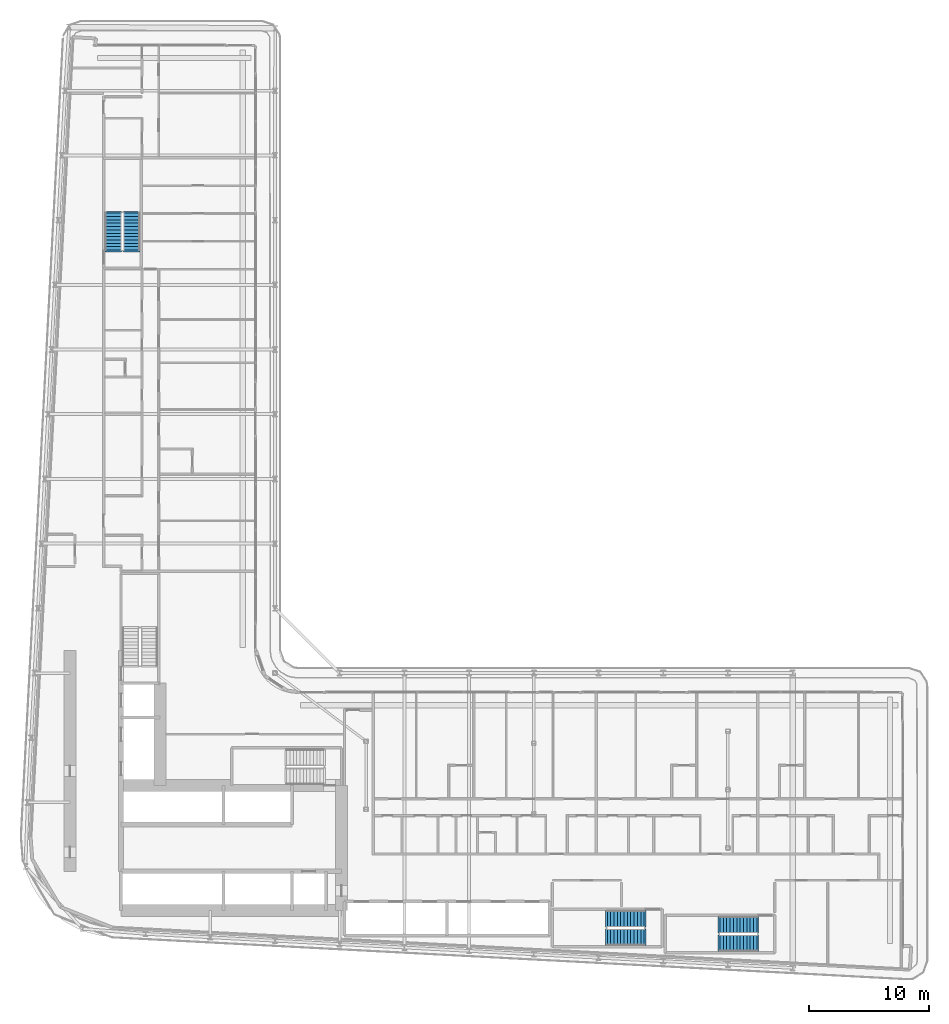
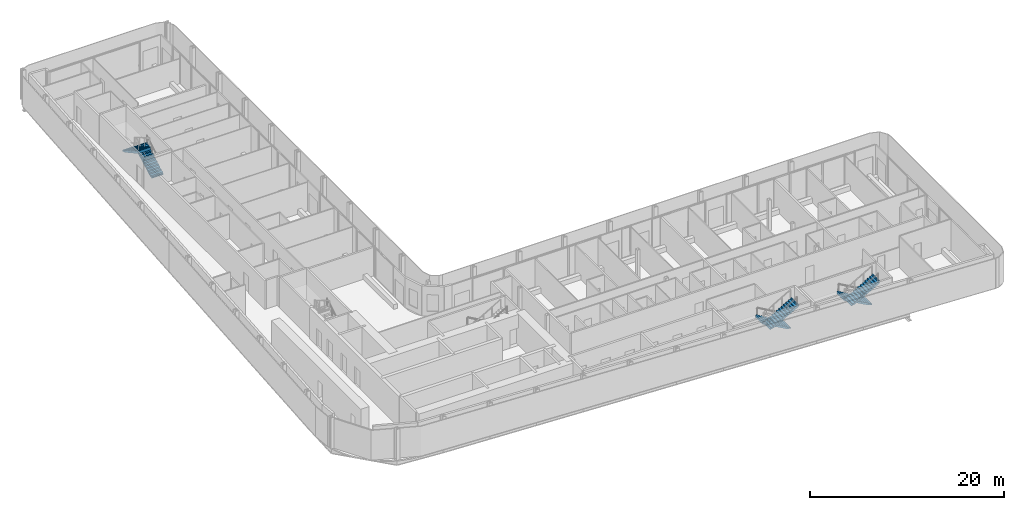
# One storey, part 22 of 29: 6 stair flights, 3 elements without a shape of their own.
"""IFC4 building model written with IfcOpenShell, lengths in metres."""

from ifc_helpers import new_model, si_unit, direction, frame, origin, place, context, subcontext, project, spatial, polyline, outline, extrude, material, layer, layer_set, type_object, element, aggregate, save


model = new_model("IFC4")

# Units and contexts
model_context = context("Model", 3, precision=1e-05, world=origin(), true_north=direction((0.0, 1.0)))
body_context = subcontext(model_context, "Body", "Model", "MODEL_VIEW")
ifc_project = project(units=[si_unit("LENGTHUNIT", "METRE"), si_unit("AREAUNIT", "SQUARE_METRE"), si_unit("VOLUMEUNIT", "CUBIC_METRE"), si_unit("PLANEANGLEUNIT", "RADIAN"), si_unit("MASSUNIT", "GRAM", prefix="KILO")], contexts=[model_context])

# Site, building, storey
site_placement = place(None, origin())
site = spatial("IfcSite", under=ifc_project, at=site_placement, CompositionType="ELEMENT")
building_placement = place(site_placement, origin())
building = spatial("IfcBuilding", under=site, at=building_placement, Name="Kheshtan School and Residences Tower", CompositionType="ELEMENT")
storey_placement = place(building_placement, frame((0.0, 0.0, 69.5)))
storey = spatial("IfcBuildingStorey", under=building, at=storey_placement, Name="L16", CompositionType="ELEMENT", Elevation=69.5)

# Stair, stair flights
ifc_material = material(Name="Concrete C40/50", Category="concrete")
stair_type = type_object("IfcStairType", Name="Exit stair, half-turn", PredefinedType="HALF_TURN_STAIR", material=ifc_material)
stair_1_placement = place(storey_placement, origin())
stair_1 = element("IfcStair", 1, at=stair_1_placement, inside=storey, type_object=stair_type, Name="L16 Protected Exit Stair ST3", PredefinedType="HALF_TURN_STAIR")
ifc_layer = layer(ifc_material, 0.14990234375)
ifc_layer_set = layer_set([ifc_layer], Name="Stair flight 1400 Concrete C40/50")
stair_flight_type = type_object("IfcStairFlightType", Name="Stair flight 1400 Concrete C40/50", PredefinedType="STRAIGHT", material=ifc_layer_set)
stair_flight_1_placement = place(storey_placement, frame((35.64990234375, 80.89990234375, 0.0), z_axis=(0.0, 0.0, 1.0), x_axis=(0.0, 1.0, 0.0)))
stair_flight_1 = element("IfcStairFlight", 2, at=stair_flight_1_placement, type_object=stair_flight_type, Name="ST3 flight 1", NumberOfRisers=12, NumberOfTreads=11, PredefinedType="STRAIGHT", RiserHeight=0.1625, TreadLength=0.28, context=body_context, shape_type="SweptSolid", body=[
    extrude(outline(polyline([(-0.14990234375, -0.10009765625), (-0.14990234375, 0.0), (0.0, 0.0), (0.0, 0.16259765625), (0.280029296875, 0.16259765625), (0.280029296875, 0.324951171875), (0.56005859375, 0.324951171875), (0.56005859375, 0.487548828125), (0.840087890625, 0.487548828125), (0.840087890625, 0.64990234375), (1.1201171875, 0.64990234375), (1.1201171875, 0.8125), (1.39990234375, 0.8125), (1.39990234375, 0.97509765625), (1.679931640625, 0.97509765625), (1.679931640625, 1.137451171875), (1.9599609375, 1.137451171875), (1.9599609375, 1.300048828125), (2.239990234375, 1.300048828125), (2.239990234375, 1.46240234375), (2.52001953125, 1.46240234375), (2.52001953125, 1.625), (2.800048828125, 1.625), (2.800048828125, 1.78759765625), (3.080078125, 1.78759765625), (3.080078125, 1.949951171875), (3.080078125, 1.969970703125), (3.22998046875, 1.969970703125), (3.22998046875, 1.6142578125), (0.298583984375, 0.0), (-0.14990234375, -0.10009765625)])), frame((0.0, 0.699951171875, 0.0), z_axis=(0.0, -1.0, 0.0), x_axis=(1.0, 0.0, 0.0)), (0.0, 0.0, 1.0), 1.39990234375),
])
stair_flight_2_placement = place(storey_placement, frame((34.10009765625, 83.97998046875, 1.949951171875), z_axis=(0.0, 0.0, 1.0), x_axis=(0.0, -1.0, 0.0)))
stair_flight_2 = element("IfcStairFlight", 3, at=stair_flight_2_placement, type_object=stair_flight_type, Name="ST3 flight 2", NumberOfRisers=12, NumberOfTreads=11, PredefinedType="STRAIGHT", RiserHeight=0.1625, TreadLength=0.28, context=body_context, shape_type="SweptSolid", body=[
    extrude(outline(polyline([(-0.14990234375, -0.10009765625), (-0.14990234375, 0.0), (0.0, 0.0), (0.0, 0.16259765625), (0.280029296875, 0.16259765625), (0.280029296875, 0.324951171875), (0.56005859375, 0.324951171875), (0.56005859375, 0.487548828125), (0.840087890625, 0.487548828125), (0.840087890625, 0.64990234375), (1.1201171875, 0.64990234375), (1.1201171875, 0.8125), (1.39990234375, 0.8125), (1.39990234375, 0.97509765625), (1.679931640625, 0.97509765625), (1.679931640625, 1.137451171875), (1.9599609375, 1.137451171875), (1.9599609375, 1.300048828125), (2.239990234375, 1.300048828125), (2.239990234375, 1.46240234375), (2.52001953125, 1.46240234375), (2.52001953125, 1.625), (2.800048828125, 1.625), (2.800048828125, 1.78759765625), (3.080078125, 1.78759765625), (3.080078125, 1.949951171875), (3.080078125, 1.969970703125), (3.22998046875, 1.969970703125), (3.22998046875, 1.6142578125), (0.298583984375, 0.0), (-0.14990234375, -0.10009765625)])), frame((0.0, 0.699951171875, 0.0), z_axis=(0.0, -1.0, 0.0), x_axis=(1.0, 0.0, 0.0)), (0.0, 0.0, 1.0), 1.39990234375),
])
aggregate(stair_1, [stair_flight_1, stair_flight_2])

stair_2_placement = place(storey_placement, origin())
stair_2 = element("IfcStair", 4, at=stair_2_placement, inside=storey, type_object=stair_type, Name="L16 Protected Exit Stair ST4", PredefinedType="HALF_TURN_STAIR")
stair_flight_3_placement = place(storey_placement, frame((87.820068359375, 24.60009765625, 0.0), z_axis=(0.0, 0.0, 1.0), x_axis=(-1.0, 0.0, 0.0)))
stair_flight_3 = element("IfcStairFlight", 5, at=stair_flight_3_placement, type_object=stair_flight_type, Name="ST4 flight 1", NumberOfRisers=12, NumberOfTreads=11, PredefinedType="STRAIGHT", RiserHeight=0.1625, TreadLength=0.28, context=body_context, shape_type="SweptSolid", body=[
    extrude(outline(polyline([(-0.14990234375, -0.10009765625), (-0.14990234375, 0.0), (0.0, 0.0), (0.0, 0.16259765625), (0.280029296875, 0.16259765625), (0.280029296875, 0.324951171875), (0.56005859375, 0.324951171875), (0.56005859375, 0.487548828125), (0.840087890625, 0.487548828125), (0.840087890625, 0.64990234375), (1.1201171875, 0.64990234375), (1.1201171875, 0.8125), (1.39990234375, 0.8125), (1.39990234375, 0.97509765625), (1.679931640625, 0.97509765625), (1.679931640625, 1.137451171875), (1.9599609375, 1.137451171875), (1.9599609375, 1.300048828125), (2.239990234375, 1.300048828125), (2.239990234375, 1.46240234375), (2.52001953125, 1.46240234375), (2.52001953125, 1.625), (2.800048828125, 1.625), (2.800048828125, 1.78759765625), (3.080078125, 1.78759765625), (3.080078125, 1.949951171875), (3.080078125, 1.969970703125), (3.22998046875, 1.969970703125), (3.22998046875, 1.6142578125), (0.298583984375, 0.0), (-0.14990234375, -0.10009765625)])), frame((0.0, 0.699951171875, 0.0), z_axis=(0.0, -1.0, 0.0), x_axis=(1.0, 0.0, 0.0)), (0.0, 0.0, 1.0), 1.39990234375),
])
stair_flight_4_placement = place(storey_placement, frame((84.739990234375, 23.050048828125, 1.949951171875), z_axis=(0.0, 0.0, 1.0), x_axis=(1.0, 0.0, 0.0)))
stair_flight_4 = element("IfcStairFlight", 6, at=stair_flight_4_placement, type_object=stair_flight_type, Name="ST4 flight 2", NumberOfRisers=12, NumberOfTreads=11, PredefinedType="STRAIGHT", RiserHeight=0.1625, TreadLength=0.28, context=body_context, shape_type="SweptSolid", body=[
    extrude(outline(polyline([(-0.14990234375, -0.10009765625), (-0.14990234375, 0.0), (0.0, 0.0), (0.0, 0.16259765625), (0.280029296875, 0.16259765625), (0.280029296875, 0.324951171875), (0.56005859375, 0.324951171875), (0.56005859375, 0.487548828125), (0.840087890625, 0.487548828125), (0.840087890625, 0.64990234375), (1.1201171875, 0.64990234375), (1.1201171875, 0.8125), (1.39990234375, 0.8125), (1.39990234375, 0.97509765625), (1.679931640625, 0.97509765625), (1.679931640625, 1.137451171875), (1.9599609375, 1.137451171875), (1.9599609375, 1.300048828125), (2.239990234375, 1.300048828125), (2.239990234375, 1.46240234375), (2.52001953125, 1.46240234375), (2.52001953125, 1.625), (2.800048828125, 1.625), (2.800048828125, 1.78759765625), (3.080078125, 1.78759765625), (3.080078125, 1.949951171875), (3.080078125, 1.969970703125), (3.22998046875, 1.969970703125), (3.22998046875, 1.6142578125), (0.298583984375, 0.0), (-0.14990234375, -0.10009765625)])), frame((0.0, 0.699951171875, 0.0), z_axis=(0.0, -1.0, 0.0), x_axis=(1.0, 0.0, 0.0)), (0.0, 0.0, 1.0), 1.39990234375),
])
aggregate(stair_2, [stair_flight_3, stair_flight_4])

stair_3_placement = place(storey_placement, origin())
stair_3 = element("IfcStair", 7, at=stair_3_placement, inside=storey, type_object=stair_type, Name="L16 Protected Exit Stair ST5", PredefinedType="HALF_TURN_STAIR")
stair_flight_5_placement = place(storey_placement, frame((78.409912109375, 25.10009765625, 0.0), z_axis=(0.0, 0.0, 1.0), x_axis=(-1.0, 0.0, 0.0)))
stair_flight_5 = element("IfcStairFlight", 8, at=stair_flight_5_placement, type_object=stair_flight_type, Name="ST5 flight 1", NumberOfRisers=12, NumberOfTreads=11, PredefinedType="STRAIGHT", RiserHeight=0.1625, TreadLength=0.28, context=body_context, shape_type="SweptSolid", body=[
    extrude(outline(polyline([(-0.14990234375, -0.10009765625), (-0.14990234375, 0.0), (0.0, 0.0), (0.0, 0.16259765625), (0.280029296875, 0.16259765625), (0.280029296875, 0.324951171875), (0.56005859375, 0.324951171875), (0.56005859375, 0.487548828125), (0.840087890625, 0.487548828125), (0.840087890625, 0.64990234375), (1.1201171875, 0.64990234375), (1.1201171875, 0.8125), (1.39990234375, 0.8125), (1.39990234375, 0.97509765625), (1.679931640625, 0.97509765625), (1.679931640625, 1.137451171875), (1.9599609375, 1.137451171875), (1.9599609375, 1.300048828125), (2.239990234375, 1.300048828125), (2.239990234375, 1.46240234375), (2.52001953125, 1.46240234375), (2.52001953125, 1.625), (2.800048828125, 1.625), (2.800048828125, 1.78759765625), (3.080078125, 1.78759765625), (3.080078125, 1.949951171875), (3.080078125, 1.969970703125), (3.22998046875, 1.969970703125), (3.22998046875, 1.6142578125), (0.298583984375, 0.0), (-0.14990234375, -0.10009765625)])), frame((0.0, 0.699951171875, 0.0), z_axis=(0.0, -1.0, 0.0), x_axis=(1.0, 0.0, 0.0)), (0.0, 0.0, 1.0), 1.39990234375),
])
stair_flight_6_placement = place(storey_placement, frame((75.330078125, 23.550048828125, 1.949951171875), z_axis=(0.0, 0.0, 1.0), x_axis=(1.0, 0.0, 0.0)))
stair_flight_6 = element("IfcStairFlight", 9, at=stair_flight_6_placement, type_object=stair_flight_type, Name="ST5 flight 2", NumberOfRisers=12, NumberOfTreads=11, PredefinedType="STRAIGHT", RiserHeight=0.1625, TreadLength=0.28, context=body_context, shape_type="SweptSolid", body=[
    extrude(outline(polyline([(-0.14990234375, -0.10009765625), (-0.14990234375, 0.0), (0.0, 0.0), (0.0, 0.16259765625), (0.280029296875, 0.16259765625), (0.280029296875, 0.324951171875), (0.56005859375, 0.324951171875), (0.56005859375, 0.487548828125), (0.840087890625, 0.487548828125), (0.840087890625, 0.64990234375), (1.1201171875, 0.64990234375), (1.1201171875, 0.8125), (1.39990234375, 0.8125), (1.39990234375, 0.97509765625), (1.679931640625, 0.97509765625), (1.679931640625, 1.137451171875), (1.9599609375, 1.137451171875), (1.9599609375, 1.300048828125), (2.239990234375, 1.300048828125), (2.239990234375, 1.46240234375), (2.52001953125, 1.46240234375), (2.52001953125, 1.625), (2.800048828125, 1.625), (2.800048828125, 1.78759765625), (3.080078125, 1.78759765625), (3.080078125, 1.949951171875), (3.080078125, 1.969970703125), (3.22998046875, 1.969970703125), (3.22998046875, 1.6142578125), (0.298583984375, 0.0), (-0.14990234375, -0.10009765625)])), frame((0.0, 0.699951171875, 0.0), z_axis=(0.0, -1.0, 0.0), x_axis=(1.0, 0.0, 0.0)), (0.0, 0.0, 1.0), 1.39990234375),
])
aggregate(stair_3, [stair_flight_5, stair_flight_6])

save(model, "model.ifc")
